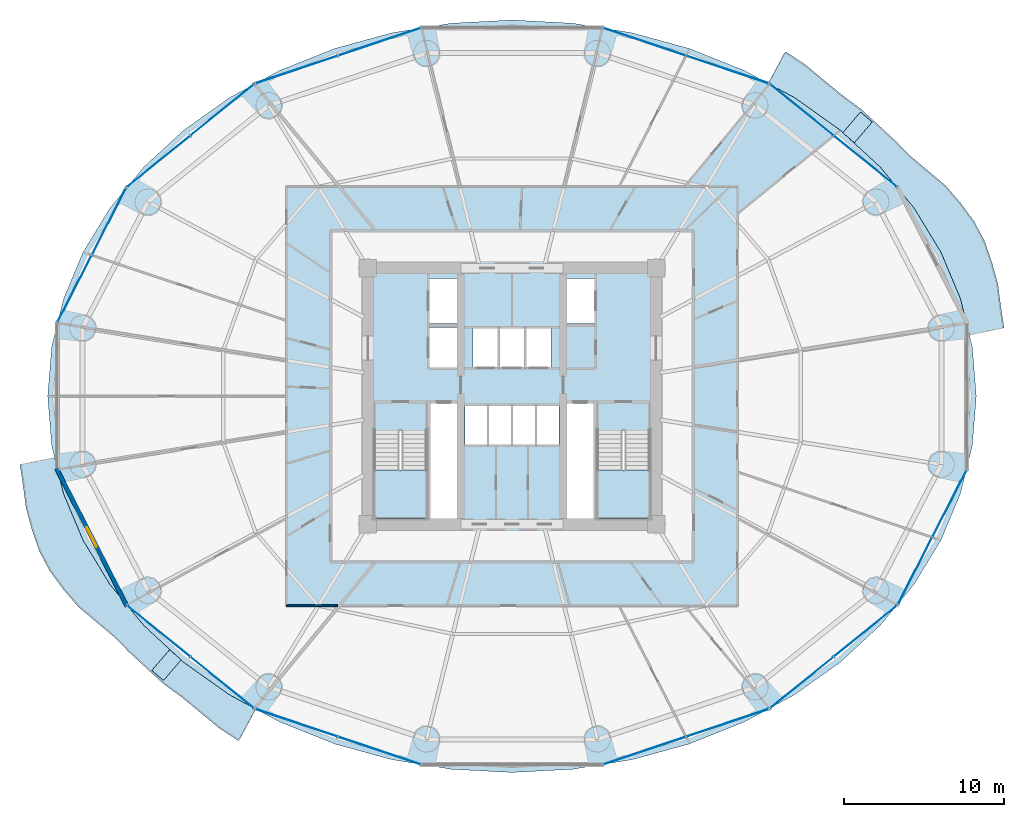
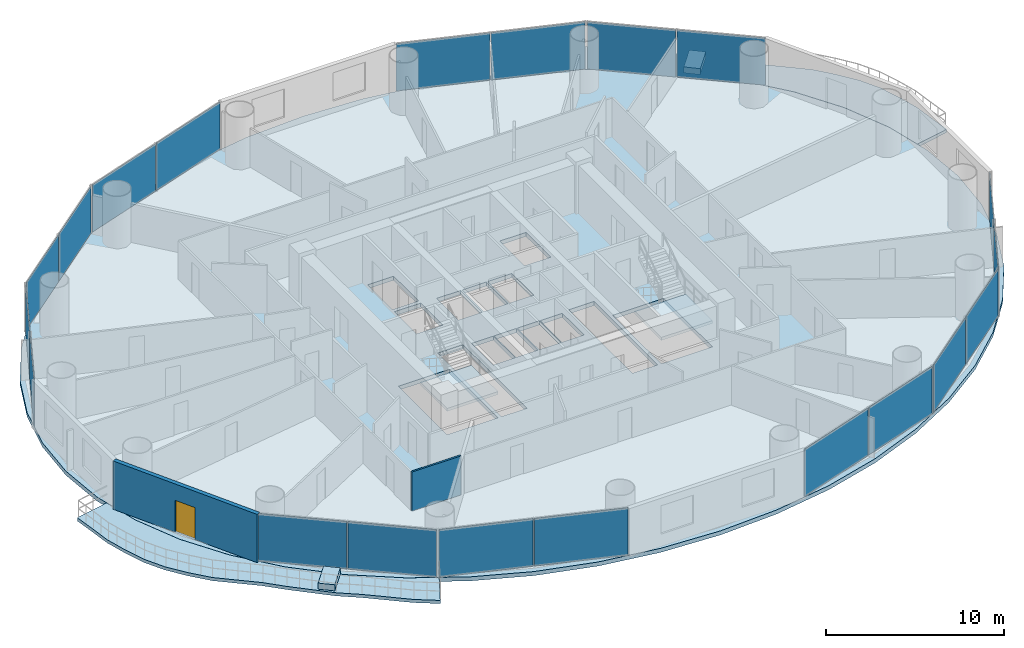
# One storey, part 20 of 28: 20 plates, 7 slabs, 2 walls, 1 door, 1 opening, 12 elements without a shape of their own.
"""IFC4 building model written with IfcOpenShell, lengths in metres."""

from ifc_helpers import new_model, si_unit, direction, frame, frame_2d, origin, origin_2d, place, context, subcontext, project, spatial, polyline, rectangle, outline, extrude, source, transform, mapped, material, layer, layer_set, type_object, element, fill, aggregate, save


model = new_model("IFC4")

# Units and contexts
model_context = context("Model", 3, precision=1e-05, world=origin(), true_north=direction((-0.2419218956, 0.970295726276)))
body_context = subcontext(model_context, "Body", "Model", "MODEL_VIEW")
ifc_project = project(units=[si_unit("LENGTHUNIT", "METRE"), si_unit("AREAUNIT", "SQUARE_METRE"), si_unit("VOLUMEUNIT", "CUBIC_METRE"), si_unit("PLANEANGLEUNIT", "RADIAN"), si_unit("MASSUNIT", "GRAM", prefix="KILO")], contexts=[model_context])

# Site, building, storey
site_placement = place(None, origin())
site = spatial("IfcSite", under=ifc_project, at=site_placement, CompositionType="ELEMENT")
building_placement = place(site_placement, origin())
building = spatial("IfcBuilding", under=site, at=building_placement, Name="Cobrevalo Terracotta Tower", CompositionType="ELEMENT")
storey_placement = place(building_placement, frame((0.0, 0.0, 42.0)))
storey = spatial("IfcBuildingStorey", under=building, at=storey_placement, Name="L10", CompositionType="ELEMENT", Elevation=42.0)

# Stair, slab
ifc_material_1 = material(Name="Concrete C50", Category="concrete")
stair_type = type_object("IfcStairType", Name="Core protected escape dogleg stair 1600", PredefinedType="HALF_TURN_STAIR", material=ifc_material_1)
stair_1_placement = place(storey_placement, origin())
stair_1 = element("IfcStair", 1, at=stair_1_placement, inside=storey, type_object=stair_type, Name="L10 Protected exit stair ST-1", PredefinedType="HALF_TURN_STAIR")
ifc_layer_1 = layer(ifc_material_1, 0.199951171875)
ifc_layer_set_1 = layer_set([ifc_layer_1], Name="Concrete C50")
slab_type_1 = type_object("IfcSlabType", Name="Reinforced Concrete Stair Landing 200", PredefinedType="LANDING", material=ifc_layer_set_1)
slab_1_placement = place(storey_placement, frame((0.0, 0.0, 1.60009765625)))
slab_1 = element("IfcSlab", 2, at=slab_1_placement, type_object=slab_type_1, Name="ST-1 landing 1", PredefinedType="LANDING", context=body_context, shape_type="SweptSolid", body=[
    extrude(outline(polyline([(29.375, 22.179931640625), (29.375, 19.175048828125), (32.695068359375, 19.175048828125), (32.695068359375, 22.179931640625), (29.375, 22.179931640625)])), origin(), (0.0, 0.0, 1.0), 0.199951171875),
])
aggregate(stair_1, [slab_1])

stair_2_placement = place(storey_placement, origin())
stair_2 = element("IfcStair", 3, at=stair_2_placement, inside=storey, type_object=stair_type, Name="L10 Protected exit stair ST-2", PredefinedType="HALF_TURN_STAIR")
slab_2_placement = place(storey_placement, frame((0.0, 0.0, 1.60009765625)))
slab_2 = element("IfcSlab", 4, at=slab_2_placement, type_object=slab_type_1, Name="ST-2 landing 1", PredefinedType="LANDING", context=body_context, shape_type="SweptSolid", body=[
    extrude(outline(polyline([(43.304931640625, 22.179931640625), (43.304931640625, 19.175048828125), (46.625, 19.175048828125), (46.625, 22.179931640625), (43.304931640625, 22.179931640625)])), origin(), (0.0, 0.0, 1.0), 0.199951171875),
])
aggregate(stair_2, [slab_2])

# Slabs
ifc_material_2 = material(Name="Concrete C45", Category="concrete")
ifc_layer_2 = layer(ifc_material_2, 0.219970703125)
ifc_layer_set_2 = layer_set([ifc_layer_2], Name="Concrete C45")
slab_type_2 = type_object("IfcSlabType", Name="Spiralling cantilevered balcony lobe slab 220 mm", PredefinedType="FLOOR", material=ifc_layer_set_2)
slab_3_placement = place(storey_placement, frame((0.0, 0.0, -0.219970703125)))
element("IfcSlab", 5, at=slab_3_placement, inside=storey, type_object=slab_type_2, Name="L10 spiralling arc balcony slab lobe 1", PredefinedType="FLOOR", context=body_context, shape_type="SweptSolid", body=[
    extrude(outline(polyline([(68.729736328125, 31.073486328125), (68.532470703125, 32.42138671875), (68.3505859375, 33.792236328125), (67.978759765625, 35.1396484375), (67.52490234375, 36.46875), (66.865966796875, 37.71630859375), (66.019775390625, 38.8662109375), (65.09912109375, 39.94189453125), (63.984375, 40.883056640625), (62.8896484375, 41.80078125), (61.89599609375, 42.80126953125), (60.846923828125, 43.77294921875), (59.796142578125, 44.739501953125), (58.622802734375, 45.603271484375), (57.490478515625, 46.536376953125), (56.34619140625, 47.489990234375), (55.08642578125, 48.32373046875), (54.014892578125, 46.33349609375), (55.6552734375, 45.4453125), (58.507568359375, 43.41845703125), (61.0087890625, 41.107177734375), (63.116455078125, 38.551025390625), (64.79443359375, 35.7939453125), (66.013671875, 32.8828125), (66.56640625, 30.631591796875), (68.729736328125, 31.073486328125)])), origin(), (0.0, 0.0, 1.0), 0.219970703125),
])
slab_4_placement = place(storey_placement, frame((0.0, 0.0, -0.219970703125)))
element("IfcSlab", 6, at=slab_4_placement, inside=storey, type_object=slab_type_2, Name="L10 spiralling arc balcony slab lobe 2", PredefinedType="FLOOR", context=body_context, shape_type="SweptSolid", body=[
    extrude(outline(polyline([(7.270263671875, 22.526611328125), (7.467529296875, 21.1787109375), (7.6494140625, 19.807861328125), (8.021240234375, 18.460205078125), (8.47509765625, 17.131103515625), (9.134033203125, 15.883544921875), (9.980224609375, 14.73388671875), (10.90087890625, 13.657958984375), (12.015625, 12.716796875), (13.1103515625, 11.79931640625), (14.10400390625, 10.798828125), (15.153076171875, 9.8271484375), (16.203857421875, 8.860595703125), (17.377197265625, 7.996826171875), (18.509521484375, 7.0634765625), (19.65380859375, 6.110107421875), (20.91357421875, 5.2763671875), (21.985107421875, 7.266357421875), (20.3447265625, 8.154541015625), (17.492431640625, 10.181640625), (14.9912109375, 12.492919921875), (12.883544921875, 15.049072265625), (11.20556640625, 17.80615234375), (9.986328125, 20.71728515625), (9.43359375, 22.968505859375), (7.270263671875, 22.526611328125)])), origin(), (0.0, 0.0, 1.0), 0.219970703125),
])
ifc_material_3 = material(Name="Precast concrete C45", Category="concrete")
ifc_layer_3 = layer(ifc_material_3, 0.419921875)
ifc_layer_set_3 = layer_set([ifc_layer_3], Name="Precast concrete C45")
slab_type_3 = type_object("IfcSlabType", Name="Structural tree planter trough base 420 mm", PredefinedType="USERDEFINED", material=ifc_layer_set_3)
slab_5_placement = place(storey_placement, origin())
element("IfcSlab", 7, at=slab_5_placement, inside=storey, type_object=slab_type_3, Name="L10 structural tree planter trough 1", ObjectType="PLANTER", PredefinedType="USERDEFINED", context=body_context, shape_type="SweptSolid", body=[
    extrude(outline(polyline([(59.389892578125, 42.63427734375), (60.494384765625, 43.926513671875), (59.7646484375, 44.55029296875), (58.66015625, 43.258056640625), (59.389892578125, 42.63427734375)])), origin(), (0.0, 0.0, 1.0), 0.419921875),
])
slab_6_placement = place(storey_placement, origin())
element("IfcSlab", 8, at=slab_6_placement, inside=storey, type_object=slab_type_3, Name="L10 structural tree planter trough 2", ObjectType="PLANTER", PredefinedType="USERDEFINED", context=body_context, shape_type="SweptSolid", body=[
    extrude(outline(polyline([(16.610107421875, 10.9658203125), (15.505615234375, 9.67333984375), (16.2353515625, 9.0498046875), (17.33984375, 10.342041015625), (16.610107421875, 10.9658203125)])), origin(), (0.0, 0.0, 1.0), 0.419921875),
])
ifc_layer_4 = layer(ifc_material_1, 0.280029296875)
ifc_layer_set_4 = layer_set([ifc_layer_4], Name="Concrete C50")
slab_type_4 = type_object("IfcSlabType", Name="Zone Z1 elliptical floor plate 280 mm", PredefinedType="FLOOR", material=ifc_layer_set_4)
slab_7_placement = place(storey_placement, frame((0.0, 0.0, -0.280029296875)))
element("IfcSlab", 9, at=slab_7_placement, inside=storey, type_object=slab_type_4, Name="L10 indoor elliptical floor slab", PredefinedType="FLOOR", context=body_context, shape_type="SweptSolid", body=[
    extrude(outline(polyline([(66.751953125, 23.732666015625), (66.011962890625, 20.7177734375), (64.79248046875, 17.806884765625), (63.11474609375, 15.050048828125), (61.00732421875, 12.494140625), (58.506103515625, 10.18310546875), (55.654052734375, 8.15625), (52.5, 6.448486328125), (49.097900390625, 5.0888671875), (45.505859375, 4.100830078125), (41.78515625, 3.5009765625), (38.0, 3.300048828125), (34.21484375, 3.5009765625), (30.494140625, 4.100830078125), (26.902099609375, 5.0888671875), (23.5, 6.448486328125), (20.345947265625, 8.15625), (17.493896484375, 10.18310546875), (14.99267578125, 12.494140625), (12.88525390625, 15.050048828125), (11.20751953125, 17.806884765625), (9.988037109375, 20.7177734375), (9.248046875, 23.732666015625), (9.0, 26.800048828125), (9.248046875, 29.867431640625), (9.988037109375, 32.88232421875), (11.20751953125, 35.79296875), (12.88525390625, 38.550048828125), (14.99267578125, 41.10595703125), (17.493896484375, 43.4169921875), (20.345947265625, 45.44384765625), (23.5, 47.151611328125), (26.902099609375, 48.51123046875), (30.494140625, 49.499267578125), (34.21484375, 50.098876953125), (38.0, 50.300048828125), (41.78515625, 50.098876953125), (45.505859375, 49.499267578125), (49.097900390625, 48.51123046875), (52.5, 47.151611328125), (55.654052734375, 45.44384765625), (58.506103515625, 43.4169921875), (61.00732421875, 41.10595703125), (63.11474609375, 38.550048828125), (64.79248046875, 35.79296875), (66.011962890625, 32.88232421875), (66.751953125, 29.867431640625), (67.0, 26.800048828125), (66.751953125, 23.732666015625)]), holes=[polyline([(32.695068359375, 19.175048828125), (32.695068359375, 24.659912109375), (29.375, 24.659912109375), (29.375, 19.175048828125), (32.695068359375, 19.175048828125)]), polyline([(34.574951171875, 19.175048828125), (34.574951171875, 26.360107421875), (32.919921875, 26.360107421875), (32.919921875, 19.175048828125), (34.574951171875, 19.175048828125)]), polyline([(36.47998046875, 23.800048828125), (36.47998046875, 26.25), (35.050048828125, 26.25), (35.050048828125, 23.800048828125), (36.47998046875, 23.800048828125)]), polyline([(37.9599609375, 23.800048828125), (37.9599609375, 26.25), (36.530029296875, 26.25), (36.530029296875, 23.800048828125), (37.9599609375, 23.800048828125)]), polyline([(37.1201171875, 28.60009765625), (37.1201171875, 31.050048828125), (35.550048828125, 31.050048828125), (35.550048828125, 28.60009765625), (37.1201171875, 28.60009765625)]), polyline([(34.550048828125, 28.60009765625), (34.550048828125, 31.10009765625), (32.85009765625, 31.10009765625), (32.85009765625, 28.60009765625), (34.550048828125, 28.60009765625)]), polyline([(34.550048828125, 31.35009765625), (34.550048828125, 34.14990234375), (32.85009765625, 34.14990234375), (32.85009765625, 31.35009765625), (34.550048828125, 31.35009765625)]), polyline([(46.625, 19.175048828125), (46.625, 24.659912109375), (43.304931640625, 24.659912109375), (43.304931640625, 19.175048828125), (46.625, 19.175048828125)]), polyline([(43.080078125, 19.175048828125), (43.080078125, 26.360107421875), (41.425048828125, 26.360107421875), (41.425048828125, 19.175048828125), (43.080078125, 19.175048828125)]), polyline([(39.469970703125, 23.800048828125), (39.469970703125, 26.25), (38.0400390625, 26.25), (38.0400390625, 23.800048828125), (39.469970703125, 23.800048828125)]), polyline([(40.949951171875, 23.800048828125), (40.949951171875, 26.25), (39.52001953125, 26.25), (39.52001953125, 23.800048828125), (40.949951171875, 23.800048828125)]), polyline([(38.780029296875, 28.60009765625), (38.780029296875, 31.050048828125), (37.219970703125, 31.050048828125), (37.219970703125, 28.60009765625), (38.780029296875, 28.60009765625)]), polyline([(40.449951171875, 28.60009765625), (40.449951171875, 31.050048828125), (38.8798828125, 31.050048828125), (38.8798828125, 28.60009765625), (40.449951171875, 28.60009765625)]), polyline([(43.14990234375, 31.35009765625), (43.14990234375, 34.14990234375), (41.449951171875, 34.14990234375), (41.449951171875, 31.35009765625), (43.14990234375, 31.35009765625)])]), origin(), (0.0, 0.0, 1.0), 0.280029296875),
])

# Curtain wall, plates
ifc_material_4 = material(Name="Anodized aluminium", Category="aluminium")
curtain_wall_type = type_object("IfcCurtainWallType", Name="Lower-tower unitised acoustic low-E curtain wall CW-U1", PredefinedType="NOTDEFINED", material=ifc_material_4)
curtain_wall_1_placement = place(storey_placement, origin())
curtain_wall_1 = element("IfcCurtainWall", 10, at=curtain_wall_1_placement, inside=storey, type_object=curtain_wall_type, Name="L10 curtain wall CW-L10-S02", PredefinedType="NOTDEFINED")
ifc_material_5 = material(Name="Solar-control low-E double glazing", Category="glass")
ifc_layer_5 = layer(ifc_material_5, 0.028076171875)
ifc_layer_set_5 = layer_set([ifc_layer_5], Name="Solar-control low-E double glazing")
plate_type = type_object("IfcPlateType", Name="Tower solar-control low-E vision glass panel 28 mm", PredefinedType="CURTAIN_PANEL", material=ifc_layer_set_5)
shared_shape_1 = source(origin(), body_context, "Body", "SweptSolid", [
    extrude(rectangle(XDim=5.023193359375, YDim=0.035888671875, at=origin_2d()), origin(), (0.0, 0.0, 1.0), 3.239990234375),
])
plate_1_placement = place(storey_placement, frame((60.073974609375, 41.470703125, 0.0400390625), z_axis=(0.0, 0.0, 1.0), x_axis=(-0.777007547884, 0.629491279154, 0.0)))
plate_1 = element("IfcPlate", 11, at=plate_1_placement, type_object=plate_type, Name="CW-L10-S02 glazing panel B01", PredefinedType="CURTAIN_PANEL", context=body_context, shape_type="MappedRepresentation", body=[
    mapped(shared_shape_1, transform((0.0, 0.0, 0.0), scale=1.0)),
])
plate_2_placement = place(storey_placement, frame((56.108642578125, 44.68310546875, 0.0400390625), z_axis=(0.0, 0.0, 1.0), x_axis=(-0.777007547884, 0.629491279154, 0.0)))
plate_2 = element("IfcPlate", 12, at=plate_2_placement, type_object=plate_type, Name="CW-L10-S02 glazing panel B02", PredefinedType="CURTAIN_PANEL", context=body_context, shape_type="MappedRepresentation", body=[
    mapped(shared_shape_1, transform((0.0, 0.0, 0.0), scale=1.0)),
])
aggregate(curtain_wall_1, [plate_1, plate_2])

curtain_wall_2_placement = place(storey_placement, origin())
curtain_wall_2 = element("IfcCurtainWall", 13, at=curtain_wall_2_placement, inside=storey, type_object=curtain_wall_type, Name="L10 curtain wall CW-L10-S06", PredefinedType="NOTDEFINED")
plate_3_placement = place(storey_placement, frame((19.891357421875, 44.68310546875, 0.0400390625), z_axis=(0.0, 0.0, 1.0), x_axis=(-0.777007547884, -0.629491279154, 0.0)))
plate_3 = element("IfcPlate", 14, at=plate_3_placement, type_object=plate_type, Name="CW-L10-S06 glazing panel B01", PredefinedType="CURTAIN_PANEL", context=body_context, shape_type="MappedRepresentation", body=[
    mapped(shared_shape_1, transform((0.0, 0.0, 0.0), scale=1.0)),
])
plate_4_placement = place(storey_placement, frame((15.926025390625, 41.470703125, 0.0400390625), z_axis=(0.0, 0.0, 1.0), x_axis=(-0.777007547884, -0.629491279154, 0.0)))
plate_4 = element("IfcPlate", 15, at=plate_4_placement, type_object=plate_type, Name="CW-L10-S06 glazing panel B02", PredefinedType="CURTAIN_PANEL", context=body_context, shape_type="MappedRepresentation", body=[
    mapped(shared_shape_1, transform((0.0, 0.0, 0.0), scale=1.0)),
])
aggregate(curtain_wall_2, [plate_3, plate_4])

curtain_wall_3_placement = place(storey_placement, origin())
curtain_wall_3 = element("IfcCurtainWall", 16, at=curtain_wall_3_placement, inside=storey, type_object=curtain_wall_type, Name="L10 curtain wall CW-L10-S10", PredefinedType="NOTDEFINED")
plate_5_placement = place(storey_placement, frame((15.926025390625, 12.12939453125, 0.0400390625), z_axis=(0.0, 0.0, 1.0), x_axis=(0.777007547884, -0.629491279154, 0.0)))
plate_5 = element("IfcPlate", 17, at=plate_5_placement, type_object=plate_type, Name="CW-L10-S10 glazing panel B01", PredefinedType="CURTAIN_PANEL", context=body_context, shape_type="MappedRepresentation", body=[
    mapped(shared_shape_1, transform((0.0, 0.0, 0.0), scale=1.0)),
])
plate_6_placement = place(storey_placement, frame((19.891357421875, 8.916748046875, 0.0400390625), z_axis=(0.0, 0.0, 1.0), x_axis=(0.777007547884, -0.629491279154, 0.0)))
plate_6 = element("IfcPlate", 18, at=plate_6_placement, type_object=plate_type, Name="CW-L10-S10 glazing panel B02", PredefinedType="CURTAIN_PANEL", context=body_context, shape_type="MappedRepresentation", body=[
    mapped(shared_shape_1, transform((0.0, 0.0, 0.0), scale=1.0)),
])
aggregate(curtain_wall_3, [plate_5, plate_6])

curtain_wall_4_placement = place(storey_placement, origin())
curtain_wall_4 = element("IfcCurtainWall", 19, at=curtain_wall_4_placement, inside=storey, type_object=curtain_wall_type, Name="L10 curtain wall CW-L10-S14", PredefinedType="NOTDEFINED")
plate_7_placement = place(storey_placement, frame((56.108642578125, 8.916748046875, 0.0400390625), z_axis=(0.0, 0.0, 1.0), x_axis=(0.777007547884, 0.629491279154, 0.0)))
plate_7 = element("IfcPlate", 20, at=plate_7_placement, type_object=plate_type, Name="CW-L10-S14 glazing panel B01", PredefinedType="CURTAIN_PANEL", context=body_context, shape_type="MappedRepresentation", body=[
    mapped(shared_shape_1, transform((0.0, 0.0, 0.0), scale=1.0)),
])
plate_8_placement = place(storey_placement, frame((60.073974609375, 12.12939453125, 0.0400390625), z_axis=(0.0, 0.0, 1.0), x_axis=(0.777007547884, 0.629491279154, 0.0)))
plate_8 = element("IfcPlate", 21, at=plate_8_placement, type_object=plate_type, Name="CW-L10-S14 glazing panel B02", PredefinedType="CURTAIN_PANEL", context=body_context, shape_type="MappedRepresentation", body=[
    mapped(shared_shape_1, transform((0.0, 0.0, 0.0), scale=1.0)),
])
aggregate(curtain_wall_4, [plate_7, plate_8])

curtain_wall_5_placement = place(storey_placement, origin())
curtain_wall_5 = element("IfcCurtainWall", 22, at=curtain_wall_5_placement, inside=storey, type_object=curtain_wall_type, Name="L10 curtain wall CW-L10-S03", PredefinedType="NOTDEFINED")
shared_shape_2 = source(origin(), body_context, "Body", "SweptSolid", [
    extrude(rectangle(XDim=5.3876953125, YDim=0.035888671875, at=origin_2d()), origin(), (0.0, 0.0, 1.0), 3.239990234375),
])
plate_9_placement = place(storey_placement, frame((51.465087890625, 47.197021484375, 0.0400390625), z_axis=(0.0, 0.0, 1.0), x_axis=(-0.948044172593, 0.318138722592, 0.0)))
plate_9 = element("IfcPlate", 23, at=plate_9_placement, type_object=plate_type, Name="CW-L10-S03 glazing panel B01", PredefinedType="CURTAIN_PANEL", context=body_context, shape_type="MappedRepresentation", body=[
    mapped(shared_shape_2, transform((0.0, 0.0, 0.0), scale=1.0)),
])
plate_10_placement = place(storey_placement, frame((46.281494140625, 48.9365234375, 0.0400390625), z_axis=(0.0, 0.0, 1.0), x_axis=(-0.948044172593, 0.318138722592, 0.0)))
plate_10 = element("IfcPlate", 24, at=plate_10_placement, type_object=plate_type, Name="CW-L10-S03 glazing panel B02", PredefinedType="CURTAIN_PANEL", context=body_context, shape_type="MappedRepresentation", body=[
    mapped(shared_shape_2, transform((0.0, 0.0, 0.0), scale=1.0)),
])
aggregate(curtain_wall_5, [plate_9, plate_10])

curtain_wall_6_placement = place(storey_placement, origin())
curtain_wall_6 = element("IfcCurtainWall", 25, at=curtain_wall_6_placement, inside=storey, type_object=curtain_wall_type, Name="L10 curtain wall CW-L10-S05", PredefinedType="NOTDEFINED")
plate_11_placement = place(storey_placement, frame((29.718505859375, 48.9365234375, 0.0400390625), z_axis=(0.0, 0.0, 1.0), x_axis=(-0.948044172593, -0.318138722592, 0.0)))
plate_11 = element("IfcPlate", 26, at=plate_11_placement, type_object=plate_type, Name="CW-L10-S05 glazing panel B01", PredefinedType="CURTAIN_PANEL", context=body_context, shape_type="MappedRepresentation", body=[
    mapped(shared_shape_2, transform((0.0, 0.0, 0.0), scale=1.0)),
])
plate_12_placement = place(storey_placement, frame((24.534912109375, 47.197021484375, 0.0400390625), z_axis=(0.0, 0.0, 1.0), x_axis=(-0.948044172593, -0.318138722592, 0.0)))
plate_12 = element("IfcPlate", 27, at=plate_12_placement, type_object=plate_type, Name="CW-L10-S05 glazing panel B02", PredefinedType="CURTAIN_PANEL", context=body_context, shape_type="MappedRepresentation", body=[
    mapped(shared_shape_2, transform((0.0, 0.0, 0.0), scale=1.0)),
])
aggregate(curtain_wall_6, [plate_11, plate_12])

curtain_wall_7_placement = place(storey_placement, origin())
curtain_wall_7 = element("IfcCurtainWall", 28, at=curtain_wall_7_placement, inside=storey, type_object=curtain_wall_type, Name="L10 curtain wall CW-L10-S11", PredefinedType="NOTDEFINED")
plate_13_placement = place(storey_placement, frame((24.534912109375, 6.40283203125, 0.0400390625), z_axis=(0.0, 0.0, 1.0), x_axis=(0.948044172593, -0.318138722592, 0.0)))
plate_13 = element("IfcPlate", 29, at=plate_13_placement, type_object=plate_type, Name="CW-L10-S11 glazing panel B01", PredefinedType="CURTAIN_PANEL", context=body_context, shape_type="MappedRepresentation", body=[
    mapped(shared_shape_2, transform((0.0, 0.0, 0.0), scale=1.0)),
])
plate_14_placement = place(storey_placement, frame((29.718505859375, 4.663330078125, 0.0400390625), z_axis=(0.0, 0.0, 1.0), x_axis=(0.948044172593, -0.318138722592, 0.0)))
plate_14 = element("IfcPlate", 30, at=plate_14_placement, type_object=plate_type, Name="CW-L10-S11 glazing panel B02", PredefinedType="CURTAIN_PANEL", context=body_context, shape_type="MappedRepresentation", body=[
    mapped(shared_shape_2, transform((0.0, 0.0, 0.0), scale=1.0)),
])
aggregate(curtain_wall_7, [plate_13, plate_14])

curtain_wall_8_placement = place(storey_placement, origin())
curtain_wall_8 = element("IfcCurtainWall", 31, at=curtain_wall_8_placement, inside=storey, type_object=curtain_wall_type, Name="L10 curtain wall CW-L10-S13", PredefinedType="NOTDEFINED")
plate_15_placement = place(storey_placement, frame((46.281494140625, 4.663330078125, 0.0400390625), z_axis=(0.0, 0.0, 1.0), x_axis=(0.948044172593, 0.318138722592, 0.0)))
plate_15 = element("IfcPlate", 32, at=plate_15_placement, type_object=plate_type, Name="CW-L10-S13 glazing panel B01", PredefinedType="CURTAIN_PANEL", context=body_context, shape_type="MappedRepresentation", body=[
    mapped(shared_shape_2, transform((0.0, 0.0, 0.0), scale=1.0)),
])
plate_16_placement = place(storey_placement, frame((51.465087890625, 6.40283203125, 0.0400390625), z_axis=(0.0, 0.0, 1.0), x_axis=(0.948044172593, 0.318138722592, 0.0)))
plate_16 = element("IfcPlate", 33, at=plate_16_placement, type_object=plate_type, Name="CW-L10-S13 glazing panel B02", PredefinedType="CURTAIN_PANEL", context=body_context, shape_type="MappedRepresentation", body=[
    mapped(shared_shape_2, transform((0.0, 0.0, 0.0), scale=1.0)),
])
aggregate(curtain_wall_8, [plate_15, plate_16])

curtain_wall_9_placement = place(storey_placement, origin())
curtain_wall_9 = element("IfcCurtainWall", 34, at=curtain_wall_9_placement, inside=storey, type_object=curtain_wall_type, Name="L10 curtain wall CW-L10-S07", PredefinedType="NOTDEFINED")
shared_shape_3 = source(origin(), body_context, "Body", "SweptSolid", [
    extrude(rectangle(XDim=4.631103515625, YDim=0.035888671875, at=origin_2d()), origin(), (0.0, 0.0, 1.0), 3.239990234375),
])
plate_17_placement = place(storey_placement, frame((12.82177734375, 37.706298828125, 0.0400390625), z_axis=(0.0, 0.0, 1.0), x_axis=(-0.45523102861, -0.890373354605, 0.0)))
plate_17 = element("IfcPlate", 35, at=plate_17_placement, type_object=plate_type, Name="CW-L10-S07 glazing panel B01", PredefinedType="CURTAIN_PANEL", context=body_context, shape_type="MappedRepresentation", body=[
    mapped(shared_shape_3, transform((0.0, 0.0, 0.0), scale=1.0)),
])
plate_18_placement = place(storey_placement, frame((10.67724609375, 33.51171875, 0.0400390625), z_axis=(0.0, 0.0, 1.0), x_axis=(-0.45523102861, -0.890373354605, 0.0)))
plate_18 = element("IfcPlate", 36, at=plate_18_placement, type_object=plate_type, Name="CW-L10-S07 glazing panel B02", PredefinedType="CURTAIN_PANEL", context=body_context, shape_type="MappedRepresentation", body=[
    mapped(shared_shape_3, transform((0.0, 0.0, 0.0), scale=1.0)),
])
aggregate(curtain_wall_9, [plate_17, plate_18])

curtain_wall_10_placement = place(storey_placement, origin())
curtain_wall_10 = element("IfcCurtainWall", 37, at=curtain_wall_10_placement, inside=storey, type_object=curtain_wall_type, Name="L10 curtain wall CW-L10-S15", PredefinedType="NOTDEFINED")
plate_19_placement = place(storey_placement, frame((63.17822265625, 15.893798828125, 0.0400390625), z_axis=(0.0, 0.0, 1.0), x_axis=(0.45523102861, 0.890373354605, 0.0)))
plate_19 = element("IfcPlate", 38, at=plate_19_placement, type_object=plate_type, Name="CW-L10-S15 glazing panel B01", PredefinedType="CURTAIN_PANEL", context=body_context, shape_type="MappedRepresentation", body=[
    mapped(shared_shape_3, transform((0.0, 0.0, 0.0), scale=1.0)),
])
plate_20_placement = place(storey_placement, frame((65.32275390625, 20.08837890625, 0.0400390625), z_axis=(0.0, 0.0, 1.0), x_axis=(0.45523102861, 0.890373354605, 0.0)))
plate_20 = element("IfcPlate", 39, at=plate_20_placement, type_object=plate_type, Name="CW-L10-S15 glazing panel B02", PredefinedType="CURTAIN_PANEL", context=body_context, shape_type="MappedRepresentation", body=[
    mapped(shared_shape_3, transform((0.0, 0.0, 0.0), scale=1.0)),
])
aggregate(curtain_wall_10, [plate_19, plate_20])

# Wall, opening, door
ifc_material_6 = material(Name="Autoclaved aerated concrete block", Category="concrete")
ifc_layer_6 = layer(ifc_material_6, 0.260009765625)
ifc_layer_set_6 = layer_set([ifc_layer_6], Name="Autoclaved aerated concrete block")
wall_type_1 = type_object("IfcWallType", Name="Recessed balcony loggia insulated exterior wall 260 mm", PredefinedType="SOLIDWALL", material=ifc_layer_set_6)
wall_1_placement = place(storey_placement, frame((9.55029296875, 22.29248046875, 0.0), z_axis=(0.0, 0.0, 1.0), x_axis=(0.455220575541, -0.890378698984, 0.0)))
wall_1 = element("IfcWall", 40, at=wall_1_placement, inside=storey, type_object=wall_type_1, Name="L10 balcony loggia wall S09", PredefinedType="SOLIDWALL", context=body_context, shape_type="SweptSolid", body=[
    extrude(rectangle(XDim=9.662109375, YDim=0.260009765625, at=frame_2d((4.8310546875, 0.0))), origin(), (0.0, 0.0, 1.0), 3.320068359375),
])
opening_placement = place(wall_1_placement, frame((4.156005859375, 0.0, 0.0)))
opening = element("IfcOpeningElement", 41, at=opening_placement, cuts=wall_1, Name="Opening ED-05", PredefinedType="OPENING", context=body_context, shape_type="SweptSolid", body=[
    extrude(rectangle(XDim=1.35009765625, YDim=2.199951171875, at=frame_2d((0.675048828125, 1.10009765625))), frame((0.0, 0.14013671875, 0.0), z_axis=(0.0, -1.0, 0.0), x_axis=(1.0, 0.0, 0.0)), (0.0, 0.0, 1.0), 0.280029296875),
])
ifc_material_7 = material(Name="Anodized aluminium and laminated glass", Category="aluminium")
door_type = type_object("IfcDoorType", Name="Suite balcony acoustic glazed terrace door 1350x2200", OperationType="NOTDEFINED", PredefinedType="DOOR", material=ifc_material_7)
shared_shape_4 = source(origin(), body_context, "Body", "SweptSolid", [
    extrude(rectangle(XDim=1.35009765625, YDim=2.199951171875, at=frame_2d((0.675048828125, 1.10009765625))), frame((0.0, 0.02490234375, 0.0), z_axis=(0.0, -1.0, 0.0), x_axis=(1.0, 0.0, 0.0)), (0.0, 0.0, 1.0), 0.050048828125),
])
door_placement = place(opening_placement, frame((1.35009765625, 0.0, 0.0), z_axis=(0.0, 0.0, 1.0), x_axis=(-1.0, 0.0, 0.0)))
door = element("IfcDoor", 42, at=door_placement, inside=storey, type_object=door_type, Name="L10 glazed balcony terrace door 2", OperationType="SINGLE_SWING_RIGHT", OverallHeight=2.199951171875, OverallWidth=1.35009765625, PredefinedType="DOOR", context=body_context, shape_type="MappedRepresentation", body=[
    mapped(shared_shape_4, transform((0.0, 0.0, 0.0), scale=1.0)),
])
fill(opening, door)

# Wall
ifc_material_8 = material(Name="Gypsum board on steel stud", Category="steel")
ifc_layer_7 = layer(ifc_material_8, 0.1201171875)
ifc_layer_set_7 = layer_set([ifc_layer_7], Name="Gypsum board on steel stud")
wall_type_2 = type_object("IfcWallType", Name="Residential internal acoustic stud partition 120 mm", PredefinedType="PARTITIONING", material=ifc_layer_set_7)
wall_2_placement = place(storey_placement, frame((27.108642578125, 13.715087890625, 0.0), z_axis=(0.0, 0.0, 1.0), x_axis=(-1.0, 0.0, 0.0)))
element("IfcWall", 43, at=wall_2_placement, inside=storey, type_object=wall_type_2, Name="L10 interior partition IW-L10-U2-RING0_0", PredefinedType="PARTITIONING", context=body_context, shape_type="SweptSolid", body=[
    extrude(rectangle(XDim=3.193603515625, YDim=0.1201171875, at=frame_2d((1.5966796875, 0.0))), origin(), (0.0, 0.0, 1.0), 2.68798828125),
])

save(model, "model.ifc")
